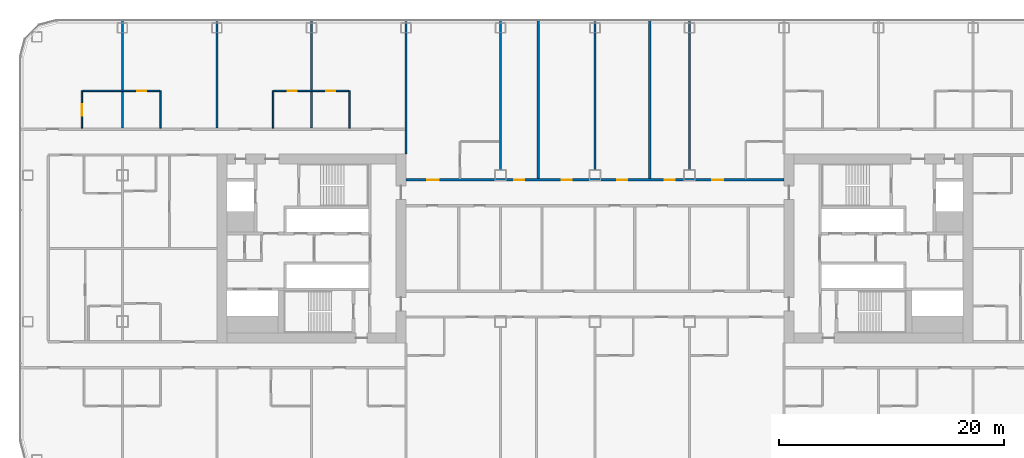
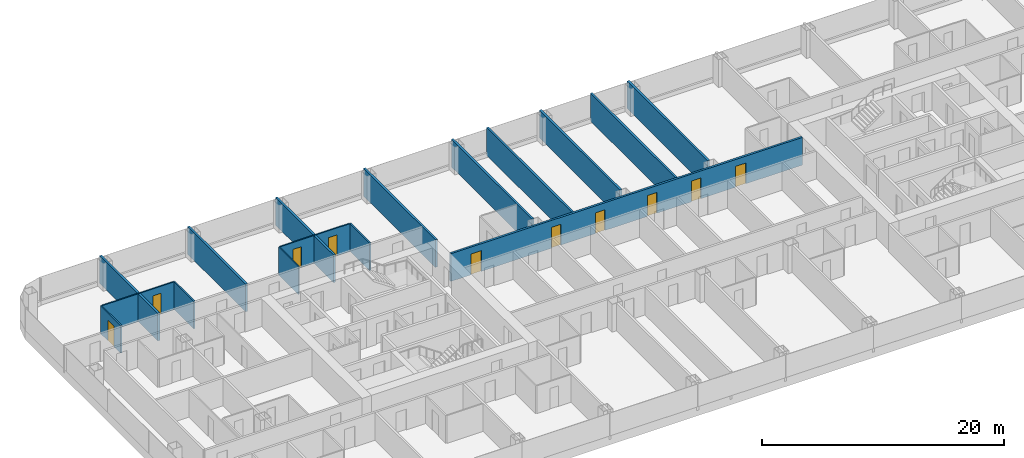
# One storey, part 16 of 28: 16 walls, 10 doors, 10 openings.
"""IFC4 building model written with IfcOpenShell, lengths in metres."""

import ifcopenshell
import ifcopenshell.guid

model = None  # the IFC model being written
_history = None  # IfcOwnerHistory: only IFC2X3 demands one
_inside = {}  # id of a spatial element -> (the spatial element, [elements in it])
_under = {}  # id of a project, library or spatial element -> (it, [spatial elements below it])
_declared = {}  # id of a project -> (the project, [libraries it declares])
_typed = {}  # id of a type object -> (the type object, [elements of that type])
_made_of = {}  # id of a material, layer set ... -> (it, [elements and type objects made of it])


def new_model(schema):
    """Start an empty IFC model of exactly this schema.

    Asked for "IFC4X3", IfcOpenShell would pick the latest addendum, in which some entities
    have other attributes; the version numbers below select the first issue.
    IFC2X3 requires an IfcOwnerHistory on every rooted entity: one is made here for all.
    """
    global model, _history
    if schema == "IFC4X3":
        model = ifcopenshell.file(schema_version=(4, 3, 0, 0))
    else:
        model = ifcopenshell.file(schema=schema)
    _inside.clear()
    _under.clear()
    _declared.clear()
    _typed.clear()
    _made_of.clear()
    _history = None
    if model.schema == "IFC2X3":
        org = make("IfcOrganization", Name="unknown")
        user = make(
            "IfcPersonAndOrganization",
            ThePerson=make("IfcPerson", FamilyName="unknown"),
            TheOrganization=org,
        )
        app = make(
            "IfcApplication",
            ApplicationDeveloper=org,
            Version="unknown",
            ApplicationFullName="unknown",
            ApplicationIdentifier="unknown",
        )
        _history = make(
            "IfcOwnerHistory",
            OwningUser=user,
            OwningApplication=app,
            ChangeAction="ADDED",
            CreationDate=0,
        )
    return model


def make(cls, **values):
    """One entity of the class cls with the attributes given. An attribute that is None is left unset."""
    return model.create_entity(
        cls, **{name: value for name, value in values.items() if value is not None}
    )


def rooted(cls, **values):
    """An entity with a GlobalId (a new one), such as an element, a storey or a relation."""
    return make(cls, GlobalId=ifcopenshell.guid.new(), OwnerHistory=_history, **values)


def si_unit(unit_type, name, prefix=None):
    """IfcSIUnit, for example si_unit("LENGTHUNIT", "METRE", prefix="MILLI")."""
    return make("IfcSIUnit", UnitType=unit_type, Prefix=prefix, Name=name)


def assignment(units):
    """IfcUnitAssignment: the units of a project."""
    return None if units is None else make("IfcUnitAssignment", Units=units)


def point(xyz):
    """IfcCartesianPoint."""
    return None if xyz is None else make("IfcCartesianPoint", Coordinates=xyz)


def direction(xyz):
    """IfcDirection."""
    return None if xyz is None else make("IfcDirection", DirectionRatios=xyz)


def frame(location, z_axis=None, x_axis=None):
    """IfcAxis2Placement3D, a coordinate frame: its origin and axes. An axis left out is left unset."""
    return make(
        "IfcAxis2Placement3D",
        Location=point(location),
        Axis=direction(z_axis),
        RefDirection=direction(x_axis),
    )


def frame_2d(location, x_axis=None):
    """IfcAxis2Placement2D, a coordinate frame in the plane: its origin and x axis."""
    return make(
        "IfcAxis2Placement2D", Location=point(location), RefDirection=direction(x_axis)
    )


def origin():
    """The frame at (0, 0, 0) with its axes left unset."""
    return frame((0.0, 0.0, 0.0))


def place(relative_to, where):
    """IfcLocalPlacement: puts the frame where relative to a parent placement (None: the world)."""
    return make(
        "IfcLocalPlacement", PlacementRelTo=relative_to, RelativePlacement=where
    )


def context(
    kind, dimensions, precision=None, world=None, true_north=None, identifier=None
):
    """IfcGeometricRepresentationContext, for example the 3D "Model" context."""
    return make(
        "IfcGeometricRepresentationContext",
        ContextIdentifier=identifier,
        ContextType=kind,
        CoordinateSpaceDimension=dimensions,
        Precision=precision,
        WorldCoordinateSystem=world,
        TrueNorth=true_north,
    )


def subcontext(parent, identifier, kind, view, scale=None):
    """IfcGeometricRepresentationSubContext, for example "Body" below "Model"."""
    return make(
        "IfcGeometricRepresentationSubContext",
        ContextIdentifier=identifier,
        ContextType=kind,
        ParentContext=parent,
        TargetScale=scale,
        TargetView=view,
    )


def project(units=None, contexts=None):
    """IfcProject with its units and contexts."""
    return rooted(
        "IfcProject",
        Name="project",
        RepresentationContexts=contexts,
        UnitsInContext=assignment(units),
    )


def spatial(cls, under=None, at=None, **own):
    """A site, building, storey or space (cls), placed at a placement, below another one or the project."""
    s = rooted(cls, ObjectPlacement=at, **own)
    if under is not None:
        _under.setdefault(under.id(), (under, []))[1].append(s)
    return s


def profile(cls, at=None, kind="AREA", **sizes):
    """A parametric profile (cls). Its sizes go by their IFC names, for example OverallWidth=200.0."""
    return make(cls, ProfileType=kind, Position=at, **sizes)


def rectangle(**sizes):
    """IfcRectangleProfileDef."""
    return profile("IfcRectangleProfileDef", **sizes)


def extrude(swept, where, along, depth):
    """IfcExtrudedAreaSolid: the profile swept, set in the frame where, extruded along a direction by depth."""
    return make(
        "IfcExtrudedAreaSolid",
        SweptArea=swept,
        Position=where,
        ExtrudedDirection=direction(along),
        Depth=depth,
    )


def shape(context_of_items, identifier, shape_type, items):
    """IfcShapeRepresentation: the items that make up one representation, for example the "Body"."""
    return make(
        "IfcShapeRepresentation",
        ContextOfItems=context_of_items,
        RepresentationIdentifier=identifier,
        RepresentationType=shape_type,
        Items=items,
    )


def material(Name=None, Category=None):
    """IfcMaterial."""
    return make("IfcMaterial", Name=Name, Category=Category)


def layer(
    of_material, thickness, ventilated=None, Name=None, Category=None, Priority=None
):
    """IfcMaterialLayer: one layer of a wall or slab, of a material (None: an air gap)."""
    return make(
        "IfcMaterialLayer",
        Material=of_material,
        LayerThickness=thickness,
        IsVentilated=ventilated,
        Name=Name,
        Category=Category,
        Priority=Priority,
    )


def layer_set(layers, Name=None):
    """IfcMaterialLayerSet."""
    return make("IfcMaterialLayerSet", MaterialLayers=layers, LayerSetName=Name)


def made_of(thing, what):
    """Note that an element or type object is made of a material, layer set ...; save() writes the relation."""
    if what is not None:
        _made_of.setdefault(what.id(), (what, []))[1].append(thing)
    return thing


def type_object(cls, material=None, **own):
    """A type object (cls), such as IfcWallType, which elements share."""
    return made_of(rooted(cls, **own), material)


def element(
    cls,
    number,
    at=None,
    inside=None,
    cuts=None,
    type_object=None,
    material=None,
    context=None,
    identifier="Body",
    shape_type=None,
    held_by="IfcProductDefinitionShape",
    body=None,
    shapes=None,
    **own,
):
    """One element of the class cls, such as IfcWall. Its Tag is "e" and its number.

    at: its placement. inside: the storey or other place that contains it. cuts: it is an
    opening in that element (IfcRelVoidsElement). A single representation is given by context,
    identifier, shape_type and body (its items); several are given by shapes. held_by: the class
    of the entity that holds the representations. save() writes the other relations.
    """
    e = rooted(cls, Tag="e%d" % number, ObjectPlacement=at, **own)
    if body is not None:
        shapes = [shape(context, identifier, shape_type, body)]
    if shapes is not None:
        e.Representation = make(held_by, Representations=shapes)
    if inside is not None:
        _inside.setdefault(inside.id(), (inside, []))[1].append(e)
    if cuts is not None:
        rooted(
            "IfcRelVoidsElement", RelatingBuildingElement=cuts, RelatedOpeningElement=e
        )
    if type_object is not None:
        _typed.setdefault(type_object.id(), (type_object, []))[1].append(e)
    return made_of(e, material)


def fill(opening, filler):
    """IfcRelFillsElement: the door or window that sits in an opening."""
    return rooted(
        "IfcRelFillsElement",
        RelatingOpeningElement=opening,
        RelatedBuildingElement=filler,
    )


def aggregate(whole, parts):
    """IfcRelAggregates: a whole, such as a stair, and the parts it consists of."""
    return rooted("IfcRelAggregates", RelatingObject=whole, RelatedObjects=parts)


def save(model, path):
    """Write the relations noted so far, then the file.

    IfcRelAggregates (storeys below a building ...), IfcRelContainedInSpatialStructure (elements
    in a storey), IfcRelDefinesByType, IfcRelAssociatesMaterial and IfcRelDeclares: one each for
    every whole, place, type object, material and project.
    """
    for whole, parts in _under.values():
        aggregate(whole, parts)
    for where, things in _inside.values():
        rooted(
            "IfcRelContainedInSpatialStructure",
            RelatedElements=things,
            RelatingStructure=where,
        )
    for kind, things in _typed.values():
        rooted("IfcRelDefinesByType", RelatedObjects=things, RelatingType=kind)
    for what, things in _made_of.values():
        rooted("IfcRelAssociatesMaterial", RelatedObjects=things, RelatingMaterial=what)
    for by, libraries in _declared.values():
        rooted("IfcRelDeclares", RelatingContext=by, RelatedDefinitions=libraries)
    model.write(path)


model = new_model("IFC4")

# Units and contexts
model_context = context("Model", 3, precision=1e-05, world=origin(), true_north=direction((0.0, 1.0)))
body_context = subcontext(model_context, "Body", "Model", "MODEL_VIEW")
ifc_project = project(units=[si_unit("LENGTHUNIT", "METRE"), si_unit("AREAUNIT", "SQUARE_METRE"), si_unit("VOLUMEUNIT", "CUBIC_METRE"), si_unit("PLANEANGLEUNIT", "RADIAN"), si_unit("MASSUNIT", "GRAM", prefix="KILO")], contexts=[model_context])

# Site, building, storey
site_placement = place(None, origin())
site = spatial("IfcSite", under=ifc_project, at=site_placement, CompositionType="ELEMENT")
building_placement = place(site_placement, origin())
building = spatial("IfcBuilding", under=site, at=building_placement, Name="Hakoniwa Tower and Hamabe Station Hall", CompositionType="ELEMENT")
storey_placement = place(building_placement, frame((0.0, 0.0, 35.800048828125)))
storey = spatial("IfcBuildingStorey", under=building, at=storey_placement, Name="L09", CompositionType="ELEMENT", Elevation=35.800048828125)

# Wall, opening, door
ifc_material_1 = material(Name="Gypsum board partition", Category="gypsum")
ifc_layer_1 = layer(ifc_material_1, 0.125)
ifc_layer_set_1 = layer_set([ifc_layer_1], Name="Bathroom Partition 125")
wall_type_1 = type_object("IfcWallType", Name="Bathroom Partition 125", PredefinedType="PARTITIONING", material=ifc_layer_set_1)
wall_1_placement = place(storey_placement, frame((-45.53759765625, 14.0, 0.0), z_axis=(0.0, 0.0, 1.0), x_axis=(1.0, 0.0, 0.0)))
wall_1 = element("IfcWall", 1, at=wall_1_placement, inside=storey, type_object=wall_type_1, Name="GW-L09-034", PredefinedType="PARTITIONING", context=body_context, shape_type="SweptSolid", body=[
    extrude(rectangle(XDim=6.875, YDim=0.125, at=frame_2d((3.4375, 0.0))), origin(), (0.0, 0.0, 1.0), 2.800048828125),
])
opening_1_placement = place(wall_1_placement, frame((4.83740234375, 0.0, 0.0)))
opening_1 = element("IfcOpeningElement", 2, at=opening_1_placement, cuts=wall_1, Name="Opening GD-G1A1-63", PredefinedType="OPENING", context=body_context, shape_type="SweptSolid", body=[
    extrude(rectangle(XDim=0.800048828125, YDim=2.10009765625, at=frame_2d((0.39990234375, 1.050048828125))), frame((0.0, 0.072509765625, 0.0), z_axis=(0.0, -1.0, 0.0), x_axis=(1.0, 0.0, 0.0)), (0.0, 0.0, 1.0), 0.14501953125),
])
ifc_material_2 = material(Name="Timber door leaf", Category="wood")
door_type_1 = type_object("IfcDoorType", Name="Bathroom Door 800", OperationType="SINGLE_SWING_LEFT", PredefinedType="DOOR", material=ifc_material_2)
door_1_placement = place(opening_1_placement, origin())
door_1 = element("IfcDoor", 3, at=door_1_placement, inside=storey, type_object=door_type_1, Name="Door GD-G1A1-63", OperationType="SINGLE_SWING_RIGHT", OverallHeight=2.10009765625, OverallWidth=0.800048828125, PredefinedType="DOOR", context=body_context, shape_type="SweptSolid", body=[
    extrude(rectangle(XDim=0.800048828125, YDim=2.10009765625, at=frame_2d((0.39990234375, 1.050048828125))), frame((0.0, 0.02490234375, 0.0), z_axis=(0.0, -1.0, 0.0), x_axis=(1.0, 0.0, 0.0)), (0.0, 0.0, 1.0), 0.050048828125),
])
fill(opening_1, door_1)

# Wall, openings, doors
wall_2_placement = place(storey_placement, frame((-28.53759765625, 14.0, 0.0), z_axis=(0.0, 0.0, 1.0), x_axis=(1.0, 0.0, 0.0)))
wall_2 = element("IfcWall", 4, at=wall_2_placement, inside=storey, type_object=wall_type_1, Name="GW-L09-035", PredefinedType="PARTITIONING", context=body_context, shape_type="SweptSolid", body=[
    extrude(rectangle(XDim=6.675048828125, YDim=0.125, at=frame_2d((3.33740234375, 0.0))), origin(), (0.0, 0.0, 1.0), 2.800048828125),
])
opening_2_placement = place(wall_2_placement, frame((1.237548828125, 0.0, 0.0)))
opening_2 = element("IfcOpeningElement", 5, at=opening_2_placement, cuts=wall_2, Name="Opening GD-G1A1-64", PredefinedType="OPENING", context=body_context, shape_type="SweptSolid", body=[
    extrude(rectangle(XDim=0.800048828125, YDim=2.10009765625, at=frame_2d((0.39990234375, 1.050048828125))), frame((0.0, 0.072509765625, 0.0), z_axis=(0.0, -1.0, 0.0), x_axis=(1.0, 0.0, 0.0)), (0.0, 0.0, 1.0), 0.14501953125),
])
opening_3_placement = place(wall_2_placement, frame((4.637451171875, 0.0, 0.0)))
opening_3 = element("IfcOpeningElement", 6, at=opening_3_placement, cuts=wall_2, Name="Opening GD-G1A1-65", PredefinedType="OPENING", context=body_context, shape_type="SweptSolid", body=[
    extrude(rectangle(XDim=0.800048828125, YDim=2.10009765625, at=frame_2d((0.39990234375, 1.050048828125))), frame((0.0, 0.072509765625, 0.0), z_axis=(0.0, -1.0, 0.0), x_axis=(1.0, 0.0, 0.0)), (0.0, 0.0, 1.0), 0.14501953125),
])
door_2_placement = place(opening_2_placement, origin())
door_2 = element("IfcDoor", 7, at=door_2_placement, inside=storey, type_object=door_type_1, Name="Door GD-G1A1-64", OperationType="SINGLE_SWING_LEFT", OverallHeight=2.10009765625, OverallWidth=0.800048828125, PredefinedType="DOOR", context=body_context, shape_type="SweptSolid", body=[
    extrude(rectangle(XDim=0.800048828125, YDim=2.10009765625, at=frame_2d((0.39990234375, 1.050048828125))), frame((0.0, 0.02490234375, 0.0), z_axis=(0.0, -1.0, 0.0), x_axis=(1.0, 0.0, 0.0)), (0.0, 0.0, 1.0), 0.050048828125),
])
fill(opening_2, door_2)
door_3_placement = place(opening_3_placement, origin())
door_3 = element("IfcDoor", 8, at=door_3_placement, inside=storey, type_object=door_type_1, Name="Door GD-G1A1-65", OperationType="SINGLE_SWING_RIGHT", OverallHeight=2.10009765625, OverallWidth=0.800048828125, PredefinedType="DOOR", context=body_context, shape_type="SweptSolid", body=[
    extrude(rectangle(XDim=0.800048828125, YDim=2.10009765625, at=frame_2d((0.39990234375, 1.050048828125))), frame((0.0, 0.02490234375, 0.0), z_axis=(0.0, -1.0, 0.0), x_axis=(1.0, 0.0, 0.0)), (0.0, 0.0, 1.0), 0.050048828125),
])
fill(opening_3, door_3)

# Wall, opening, door
wall_3_placement = place(storey_placement, frame((-45.60009765625, 10.699951171875, 0.0), z_axis=(0.0, 0.0, 1.0), x_axis=(0.0, 1.0, 0.0)))
wall_3 = element("IfcWall", 9, at=wall_3_placement, inside=storey, type_object=wall_type_1, Name="GW-L09-040", PredefinedType="PARTITIONING", context=body_context, shape_type="SweptSolid", body=[
    extrude(rectangle(XDim=3.300048828125, YDim=0.125, at=frame_2d((1.64990234375, 0.0))), origin(), (0.0, 0.0, 1.0), 2.800048828125),
])
opening_4_placement = place(wall_3_placement, frame((1.10009765625, 0.0, 0.0)))
opening_4 = element("IfcOpeningElement", 10, at=opening_4_placement, cuts=wall_3, Name="Opening GD-G1A1-70", PredefinedType="OPENING", context=body_context, shape_type="SweptSolid", body=[
    extrude(rectangle(XDim=1.0, YDim=2.10009765625, at=frame_2d((0.5, 1.050048828125))), frame((0.0, 0.072509765625, 0.0), z_axis=(0.0, -1.0, 0.0), x_axis=(1.0, 0.0, 0.0)), (0.0, 0.0, 1.0), 0.14501953125),
])
ifc_material_3 = material(Name="Timber door leaf", Category="wood")
door_type_2 = type_object("IfcDoorType", Name="Accessible Bathroom Door 1000", OperationType="SINGLE_SWING_LEFT", PredefinedType="DOOR", material=ifc_material_3)
door_4_placement = place(opening_4_placement, origin())
door_4 = element("IfcDoor", 11, at=door_4_placement, inside=storey, type_object=door_type_2, Name="Door GD-G1A1-70", OperationType="SINGLE_SWING_RIGHT", OverallHeight=2.10009765625, OverallWidth=1.0, PredefinedType="DOOR", context=body_context, shape_type="SweptSolid", body=[
    extrude(rectangle(XDim=1.0, YDim=2.10009765625, at=frame_2d((0.5, 1.050048828125))), frame((0.0, 0.02490234375, 0.0), z_axis=(0.0, -1.0, 0.0), x_axis=(1.0, 0.0, 0.0)), (0.0, 0.0, 1.0), 0.050048828125),
])
fill(opening_4, door_4)

# Walls
for number, where, z_axis, x_axis, name in (
    (12, (-38.60009765625, 10.699951171875, 0.0), (0.0, 0.0, 1.0), (0.0, 1.0, 0.0), "GW-L09-051"),
    (13, (-28.60009765625, 10.699951171875, 0.0), (0.0, 0.0, 1.0), (0.0, 1.0, 0.0), "GW-L09-056"),
    (14, (-21.800048828125, 10.699951171875, 0.0), (0.0, 0.0, 1.0), (0.0, 1.0, 0.0), "GW-L09-059"),
):
    element("IfcWall", number, at=place(storey_placement, frame(where, z_axis=z_axis, x_axis=x_axis)), inside=storey, type_object=wall_type_1, Name=name, PredefinedType="PARTITIONING", context=body_context, shape_type="SweptSolid", body=[
        extrude(rectangle(XDim=3.300048828125, YDim=0.125, at=frame_2d((1.64990234375, 0.0))), origin(), (0.0, 0.0, 1.0), 2.800048828125),
    ])

# Wall, openings, doors
ifc_material_4 = material(Name="Fire-rated gypsum board partition", Category="gypsum")
ifc_layer_2 = layer(ifc_material_4, 0.199951171875)
ifc_layer_set_2 = layer_set([ifc_layer_2], Name="Corridor Wall 200")
wall_type_2 = type_object("IfcWallType", Name="Corridor Wall 200", PredefinedType="PARTITIONING", material=ifc_layer_set_2)
wall_4_placement = place(storey_placement, frame((-16.800048828125, 6.10009765625, 0.0), z_axis=(0.0, 0.0, 1.0), x_axis=(1.0, 0.0, 0.0)))
wall_4 = element("IfcWall", 15, at=wall_4_placement, inside=storey, type_object=wall_type_2, Name="GW-L09-027", PredefinedType="PARTITIONING", context=body_context, shape_type="SweptSolid", body=[
    extrude(rectangle(XDim=33.60009765625, YDim=0.199951171875, at=frame_2d((16.800048828125, 0.0))), origin(), (0.0, 0.0, 1.0), 2.800048828125),
])
opening_5_placement = place(wall_4_placement, frame((1.89990234375, 0.0, 0.0)))
opening_5 = element("IfcOpeningElement", 16, at=opening_5_placement, cuts=wall_4, Name="Opening GD-G1A1-44", PredefinedType="OPENING", context=body_context, shape_type="SweptSolid", body=[
    extrude(rectangle(XDim=1.0, YDim=2.10009765625, at=frame_2d((0.5, 1.050048828125))), frame((0.0, 0.10986328125, 0.0), z_axis=(0.0, -1.0, 0.0), x_axis=(1.0, 0.0, 0.0)), (0.0, 0.0, 1.0), 0.219970703125),
])
opening_6_placement = place(wall_4_placement, frame((9.6298828125, 0.0, 0.0)))
opening_6 = element("IfcOpeningElement", 17, at=opening_6_placement, cuts=wall_4, Name="Opening GD-G1A1-45", PredefinedType="OPENING", context=body_context, shape_type="SweptSolid", body=[
    extrude(rectangle(XDim=0.89990234375, YDim=2.10009765625, at=frame_2d((0.449951171875, 1.050048828125))), frame((0.0, 0.10986328125, 0.0), z_axis=(0.0, -1.0, 0.0), x_axis=(1.0, 0.0, 0.0)), (0.0, 0.0, 1.0), 0.219970703125),
])
opening_7_placement = place(wall_4_placement, frame((13.830078125, 0.0, 0.0)))
opening_7 = element("IfcOpeningElement", 18, at=opening_7_placement, cuts=wall_4, Name="Opening GD-G1A1-46", PredefinedType="OPENING", context=body_context, shape_type="SweptSolid", body=[
    extrude(rectangle(XDim=0.89990234375, YDim=2.10009765625, at=frame_2d((0.449951171875, 1.050048828125))), frame((0.0, 0.10986328125, 0.0), z_axis=(0.0, -1.0, 0.0), x_axis=(1.0, 0.0, 0.0)), (0.0, 0.0, 1.0), 0.219970703125),
])
opening_8_placement = place(wall_4_placement, frame((18.784912109375, 0.0, 0.0)))
opening_8 = element("IfcOpeningElement", 19, at=opening_8_placement, cuts=wall_4, Name="Opening GD-G1A1-47", PredefinedType="OPENING", context=body_context, shape_type="SweptSolid", body=[
    extrude(rectangle(XDim=0.89990234375, YDim=2.10009765625, at=frame_2d((0.449951171875, 1.050048828125))), frame((0.0, 0.10986328125, 0.0), z_axis=(0.0, -1.0, 0.0), x_axis=(1.0, 0.0, 0.0)), (0.0, 0.0, 1.0), 0.219970703125),
])
opening_9_placement = place(wall_4_placement, frame((22.985107421875, 0.0, 0.0)))
opening_9 = element("IfcOpeningElement", 20, at=opening_9_placement, cuts=wall_4, Name="Opening GD-G1A1-48", PredefinedType="OPENING", context=body_context, shape_type="SweptSolid", body=[
    extrude(rectangle(XDim=0.89990234375, YDim=2.10009765625, at=frame_2d((0.449951171875, 1.050048828125))), frame((0.0, 0.10986328125, 0.0), z_axis=(0.0, -1.0, 0.0), x_axis=(1.0, 0.0, 0.0)), (0.0, 0.0, 1.0), 0.219970703125),
])
opening_10_placement = place(wall_4_placement, frame((27.199951171875, 0.0, 0.0)))
opening_10 = element("IfcOpeningElement", 21, at=opening_10_placement, cuts=wall_4, Name="Opening GD-G1A1-49", PredefinedType="OPENING", context=body_context, shape_type="SweptSolid", body=[
    extrude(rectangle(XDim=1.0, YDim=2.10009765625, at=frame_2d((0.5, 1.050048828125))), frame((0.0, 0.10986328125, 0.0), z_axis=(0.0, -1.0, 0.0), x_axis=(1.0, 0.0, 0.0)), (0.0, 0.0, 1.0), 0.219970703125),
])
ifc_material_5 = material(Name="Timber door leaf", Category="wood")
door_type_3 = type_object("IfcDoorType", Name="Accessible Guest Entrance Door 1000", OperationType="SINGLE_SWING_LEFT", PredefinedType="DOOR", material=ifc_material_5)
door_5_placement = place(opening_5_placement, origin())
door_5 = element("IfcDoor", 22, at=door_5_placement, inside=storey, type_object=door_type_3, Name="Door GD-G1A1-44", OperationType="SINGLE_SWING_RIGHT", OverallHeight=2.10009765625, OverallWidth=1.0, PredefinedType="DOOR", context=body_context, shape_type="SweptSolid", body=[
    extrude(rectangle(XDim=1.0, YDim=2.10009765625, at=frame_2d((0.5, 1.050048828125))), frame((0.0, 0.02490234375, 0.0), z_axis=(0.0, -1.0, 0.0), x_axis=(1.0, 0.0, 0.0)), (0.0, 0.0, 1.0), 0.050048828125),
])
fill(opening_5, door_5)
ifc_material_6 = material(Name="Timber door leaf", Category="wood")
door_type_4 = type_object("IfcDoorType", Name="Guest Entrance Door 1000", OperationType="SINGLE_SWING_LEFT", PredefinedType="DOOR", material=ifc_material_6)
door_6_placement = place(opening_10_placement, origin())
door_6 = element("IfcDoor", 23, at=door_6_placement, inside=storey, type_object=door_type_4, Name="Door GD-G1A1-49", OperationType="SINGLE_SWING_LEFT", OverallHeight=2.10009765625, OverallWidth=1.0, PredefinedType="DOOR", context=body_context, shape_type="SweptSolid", body=[
    extrude(rectangle(XDim=1.0, YDim=2.10009765625, at=frame_2d((0.5, 1.050048828125))), frame((0.0, 0.02490234375, 0.0), z_axis=(0.0, -1.0, 0.0), x_axis=(1.0, 0.0, 0.0)), (0.0, 0.0, 1.0), 0.050048828125),
])
fill(opening_10, door_6)
ifc_material_7 = material(Name="Timber door leaf", Category="wood")
door_type_5 = type_object("IfcDoorType", Name="Service Door 900", OperationType="SINGLE_SWING_LEFT", PredefinedType="DOOR", material=ifc_material_7)
door_7_placement = place(opening_6_placement, origin())
door_7 = element("IfcDoor", 24, at=door_7_placement, inside=storey, type_object=door_type_5, Name="Door GD-G1A1-45", OperationType="SINGLE_SWING_LEFT", OverallHeight=2.10009765625, OverallWidth=0.89990234375, PredefinedType="DOOR", context=body_context, shape_type="SweptSolid", body=[
    extrude(rectangle(XDim=0.89990234375, YDim=2.10009765625, at=frame_2d((0.449951171875, 1.050048828125))), frame((0.0, 0.02490234375, 0.0), z_axis=(0.0, -1.0, 0.0), x_axis=(1.0, 0.0, 0.0)), (0.0, 0.0, 1.0), 0.050048828125),
])
fill(opening_6, door_7)
door_8_placement = place(opening_7_placement, origin())
door_8 = element("IfcDoor", 25, at=door_8_placement, inside=storey, type_object=door_type_5, Name="Door GD-G1A1-46", OperationType="SINGLE_SWING_RIGHT", OverallHeight=2.10009765625, OverallWidth=0.89990234375, PredefinedType="DOOR", context=body_context, shape_type="SweptSolid", body=[
    extrude(rectangle(XDim=0.89990234375, YDim=2.10009765625, at=frame_2d((0.449951171875, 1.050048828125))), frame((0.0, 0.02490234375, 0.0), z_axis=(0.0, -1.0, 0.0), x_axis=(1.0, 0.0, 0.0)), (0.0, 0.0, 1.0), 0.050048828125),
])
fill(opening_7, door_8)
door_9_placement = place(opening_8_placement, origin())
door_9 = element("IfcDoor", 26, at=door_9_placement, inside=storey, type_object=door_type_5, Name="Door GD-G1A1-47", OperationType="SINGLE_SWING_LEFT", OverallHeight=2.10009765625, OverallWidth=0.89990234375, PredefinedType="DOOR", context=body_context, shape_type="SweptSolid", body=[
    extrude(rectangle(XDim=0.89990234375, YDim=2.10009765625, at=frame_2d((0.449951171875, 1.050048828125))), frame((0.0, 0.02490234375, 0.0), z_axis=(0.0, -1.0, 0.0), x_axis=(1.0, 0.0, 0.0)), (0.0, 0.0, 1.0), 0.050048828125),
])
fill(opening_8, door_9)
door_10_placement = place(opening_9_placement, origin())
door_10 = element("IfcDoor", 27, at=door_10_placement, inside=storey, type_object=door_type_5, Name="Door GD-G1A1-48", OperationType="SINGLE_SWING_RIGHT", OverallHeight=2.10009765625, OverallWidth=0.89990234375, PredefinedType="DOOR", context=body_context, shape_type="SweptSolid", body=[
    extrude(rectangle(XDim=0.89990234375, YDim=2.10009765625, at=frame_2d((0.449951171875, 1.050048828125))), frame((0.0, 0.02490234375, 0.0), z_axis=(0.0, -1.0, 0.0), x_axis=(1.0, 0.0, 0.0)), (0.0, 0.0, 1.0), 0.050048828125),
])
fill(opening_9, door_10)

# Walls
ifc_material_8 = material(Name="Fire-rated gypsum board partition", Category="gypsum")
ifc_layer_3 = layer(ifc_material_8, 0.199951171875)
ifc_layer_set_3 = layer_set([ifc_layer_3], Name="Party Wall 200")
wall_type_3 = type_object("IfcWallType", Name="Party Wall 200", PredefinedType="PARTITIONING", material=ifc_layer_set_3)
for number, where, z_axis, x_axis, name in (
    (28, (-42.0, 10.699951171875, 0.0), (0.0, 0.0, 1.0), (0.0, 1.0, 0.0), "GW-L09-047"),
    (29, (-33.60009765625, 10.699951171875, 0.0), (0.0, 0.0, 1.0), (0.0, 1.0, 0.0), "GW-L09-054"),
    (30, (-25.199951171875, 10.699951171875, 0.0), (0.0, 0.0, 1.0), (0.0, 1.0, 0.0), "GW-L09-058"),
):
    element("IfcWall", number, at=place(storey_placement, frame(where, z_axis=z_axis, x_axis=x_axis)), inside=storey, type_object=wall_type_3, Name=name, PredefinedType="PARTITIONING", context=body_context, shape_type="SweptSolid", body=[
        extrude(rectangle(XDim=9.60009765625, YDim=0.199951171875, at=frame_2d((4.800048828125, 0.0))), origin(), (0.0, 0.0, 1.0), 2.800048828125),
    ])
wall_5_placement = place(storey_placement, frame((-16.800048828125, 8.389892578125, 0.0), z_axis=(0.0, 0.0, 1.0), x_axis=(0.0, 1.0, 0.0)))
element("IfcWall", 31, at=wall_5_placement, inside=storey, type_object=wall_type_3, Name="GW-L09-062", PredefinedType="PARTITIONING", context=body_context, shape_type="SweptSolid", body=[
    extrude(rectangle(XDim=11.91015625, YDim=0.199951171875, at=frame_2d((5.955078125, 0.0))), origin(), (0.0, 0.0, 1.0), 2.800048828125),
])
wall_6_placement = place(storey_placement, frame((-8.39990234375, 6.989990234375, 0.0), z_axis=(0.0, 0.0, 1.0), x_axis=(0.0, 1.0, 0.0)))
element("IfcWall", 32, at=wall_6_placement, inside=storey, type_object=wall_type_3, Name="GW-L09-068", PredefinedType="PARTITIONING", context=body_context, shape_type="SweptSolid", body=[
    extrude(rectangle(XDim=13.31005859375, YDim=0.199951171875, at=frame_2d((6.655029296875, 0.0))), origin(), (0.0, 0.0, 1.0), 2.800048828125),
])
wall_7_placement = place(storey_placement, frame((-5.0400390625, 6.199951171875, 0.0), z_axis=(0.0, 0.0, 1.0), x_axis=(0.0, 1.0, 0.0)))
element("IfcWall", 33, at=wall_7_placement, inside=storey, type_object=wall_type_3, Name="GW-L09-070", PredefinedType="PARTITIONING", context=body_context, shape_type="SweptSolid", body=[
    extrude(rectangle(XDim=14.10009765625, YDim=0.199951171875, at=frame_2d((7.050048828125, 0.0))), origin(), (0.0, 0.0, 1.0), 2.800048828125),
])
wall_8_placement = place(storey_placement, frame((0.0, 6.989990234375, 0.0), z_axis=(0.0, 0.0, 1.0), x_axis=(0.0, 1.0, 0.0)))
element("IfcWall", 34, at=wall_8_placement, inside=storey, type_object=wall_type_3, Name="GW-L09-074", PredefinedType="PARTITIONING", context=body_context, shape_type="SweptSolid", body=[
    extrude(rectangle(XDim=13.31005859375, YDim=0.199951171875, at=frame_2d((6.655029296875, 0.0))), origin(), (0.0, 0.0, 1.0), 2.800048828125),
])
wall_9_placement = place(storey_placement, frame((4.8701171875, 6.199951171875, 0.0), z_axis=(0.0, 0.0, 1.0), x_axis=(0.0, 1.0, 0.0)))
element("IfcWall", 35, at=wall_9_placement, inside=storey, type_object=wall_type_3, Name="GW-L09-077", PredefinedType="PARTITIONING", context=body_context, shape_type="SweptSolid", body=[
    extrude(rectangle(XDim=14.10009765625, YDim=0.199951171875, at=frame_2d((7.050048828125, 0.0))), origin(), (0.0, 0.0, 1.0), 2.800048828125),
])
wall_10_placement = place(storey_placement, frame((8.39990234375, 6.989990234375, 0.0), z_axis=(0.0, 0.0, 1.0), x_axis=(0.0, 1.0, 0.0)))
element("IfcWall", 36, at=wall_10_placement, inside=storey, type_object=wall_type_3, Name="GW-L09-080", PredefinedType="PARTITIONING", context=body_context, shape_type="SweptSolid", body=[
    extrude(rectangle(XDim=13.31005859375, YDim=0.199951171875, at=frame_2d((6.655029296875, 0.0))), origin(), (0.0, 0.0, 1.0), 2.800048828125),
])

save(model, "model.ifc")
